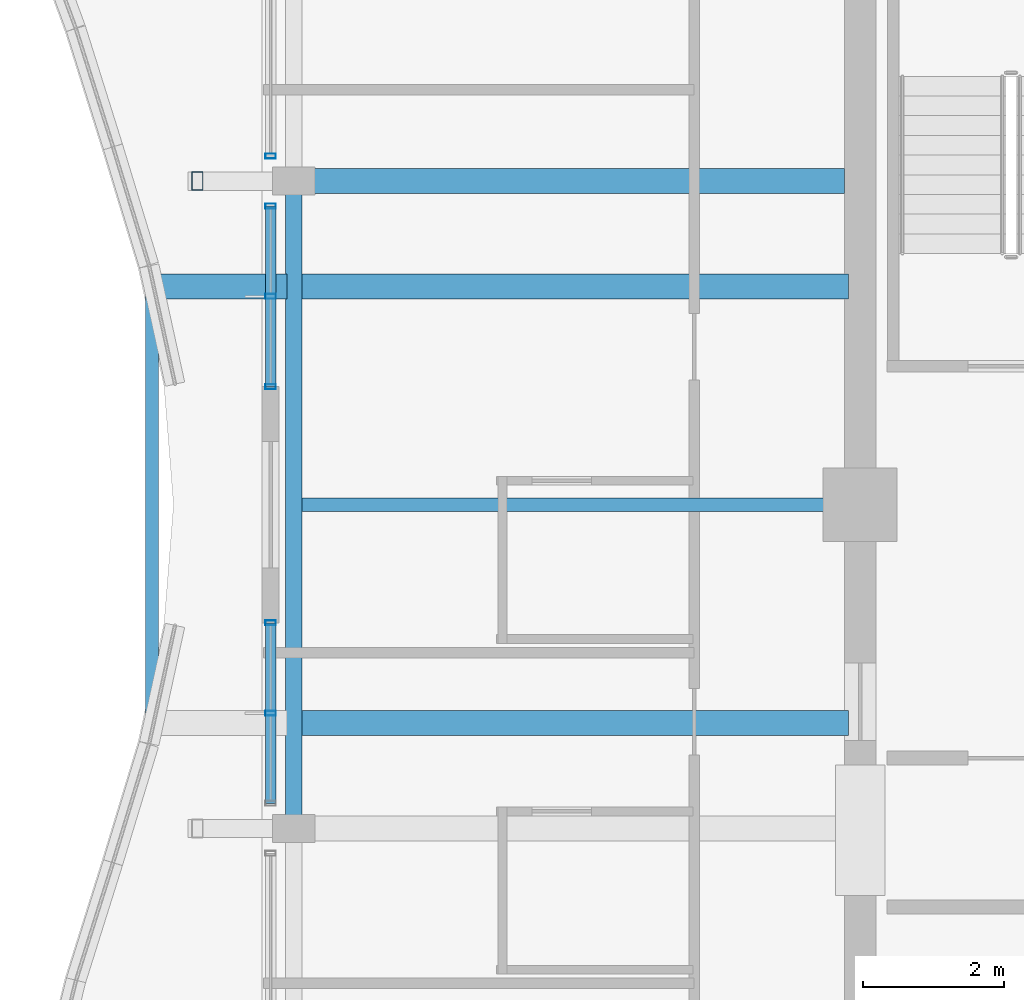
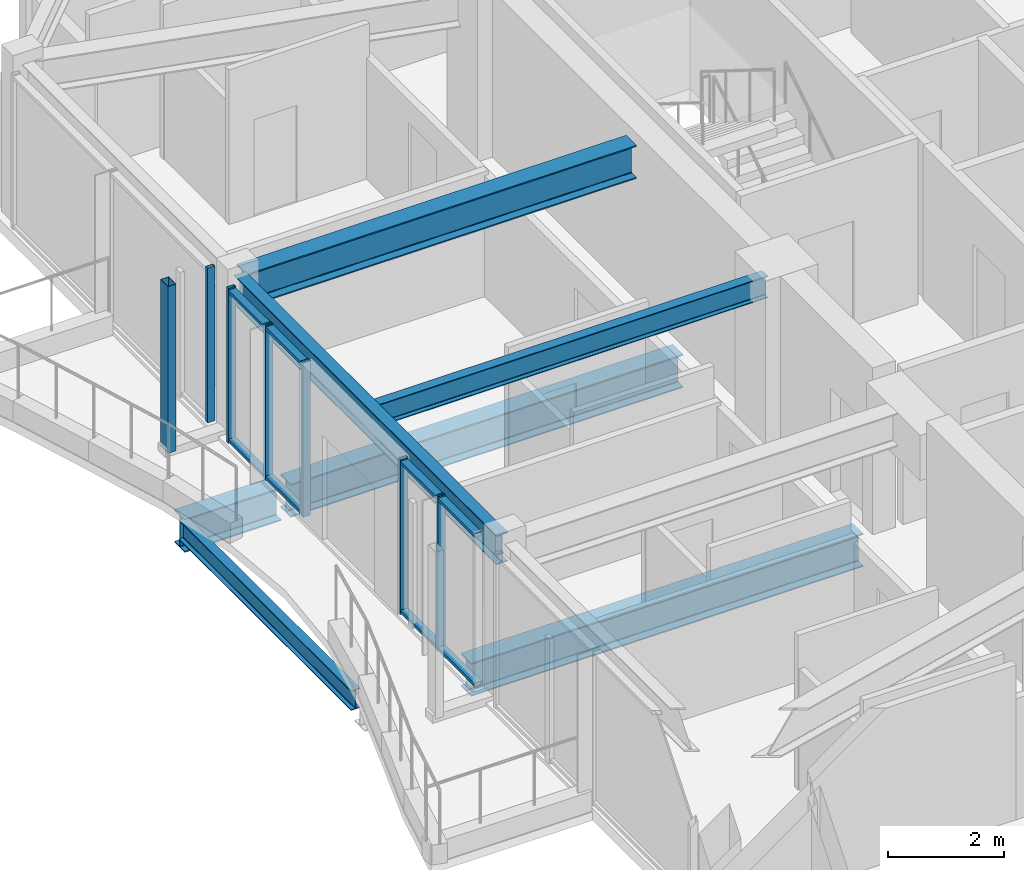
# One storey, part 8 of 31: 11 members, 7 beams, 3 elements without a shape of their own.
"""IFC4 building model written with IfcOpenShell, lengths in metres."""

from ifc_helpers import new_model, si_unit, direction, frame, origin, origin_2d, place, context, subcontext, project, spatial, hollow_rectangle, i_section, extrude, material, material_profile, profile_set, type_object, element, aggregate, save


model = new_model("IFC4")

# Units and contexts
model_context = context("Model", 3, precision=1e-05, world=origin(), true_north=direction((0.0, 1.0)))
body_context = subcontext(model_context, "Body", "Model", "MODEL_VIEW")
ifc_project = project(units=[si_unit("LENGTHUNIT", "METRE"), si_unit("AREAUNIT", "SQUARE_METRE"), si_unit("VOLUMEUNIT", "CUBIC_METRE"), si_unit("PLANEANGLEUNIT", "RADIAN"), si_unit("MASSUNIT", "GRAM", prefix="KILO")], contexts=[model_context])

# Site, building, storey
site_placement = place(None, origin())
site = spatial("IfcSite", under=ifc_project, at=site_placement, CompositionType="ELEMENT")
building_placement = place(site_placement, origin())
building = spatial("IfcBuilding", under=site, at=building_placement, Name="Kolvaren Belvedere", CompositionType="ELEMENT")
storey_placement = place(building_placement, frame((0.0, 0.0, 251.39990234375)))
storey = spatial("IfcBuildingStorey", under=building, at=storey_placement, Name="L73", CompositionType="ELEMENT", Elevation=251.39990234375)

# Beams
ifc_material_1 = material(Name="Structural steel ASTM A992 Grade 50", Category="steel")
ifc_material_profile_1 = material_profile(ifc_material_1, i_section(OverallWidth=0.35498046875, OverallDepth=0.696044921875, WebThickness=0.015380859375, FlangeThickness=0.02490234375, FilletRadius=0.02197265625, at=origin_2d()), Name="W27X146")
ifc_profile_set_1 = profile_set([ifc_material_profile_1], Name="Structural steel ASTM A992 Grade 50")
beam_type_1 = type_object("IfcBeamType", Name="BM-CANT-BAL", PredefinedType="BEAM", material=ifc_profile_set_1)
beam_1_placement = place(storey_placement, frame((-18.044921875, 3.10009765625, -0.597900390625), z_axis=(-1.0, 0.0, 0.0), x_axis=(0.0, -1.0, 0.0)))
element("IfcBeam", 1, at=beam_1_placement, inside=storey, type_object=beam_type_1, Name="L73 Planted Balcony Cantilever BAL-W-2", PredefinedType="BEAM", context=body_context, shape_type="SweptSolid", body=[
    extrude(i_section(OverallWidth=0.35498046875, OverallDepth=0.696044921875, WebThickness=0.015380859375, FlangeThickness=0.02490234375, FilletRadius=0.02197265625, at=origin_2d()), origin(), (0.0, 0.0, 1.0), 1.91943359375),
])
ifc_material_2 = material(Name="Structural steel ASTM A992 Grade 50", Category="steel")
ifc_material_profile_2 = material_profile(ifc_material_2, i_section(OverallWidth=0.180908203125, OverallDepth=0.4169921875, WebThickness=0.010986328125, FlangeThickness=0.018310546875, FilletRadius=0.013916015625, at=origin_2d()), Name="W16X57")
ifc_profile_set_2 = profile_set([ifc_material_profile_2], Name="Structural steel ASTM A992 Grade 50")
beam_type_2 = type_object("IfcBeamType", Name="BM-EDGE-W16X57", PredefinedType="BEAM", material=ifc_profile_set_2)
beam_2_placement = place(storey_placement, frame((-19.96435546875, -2.9599609375, -0.45849609375), z_axis=(0.0, 1.0, 0.0), x_axis=(-1.0, 0.0, 0.0)))
element("IfcBeam", 2, at=beam_2_placement, inside=storey, type_object=beam_type_2, Name="L73 Balcony Tip Header Beam BAL-W", PredefinedType="BEAM", context=body_context, shape_type="SweptSolid", body=[
    extrude(i_section(OverallWidth=0.180908203125, OverallDepth=0.4169921875, WebThickness=0.010986328125, FlangeThickness=0.018310546875, FilletRadius=0.013916015625, at=origin_2d()), origin(), (0.0, 0.0, 1.0), 5.919921875),
])
ifc_material_3 = material(Name="Structural steel ASTM A992 Grade 50", Category="steel")
ifc_material_profile_3 = material_profile(ifc_material_3, i_section(OverallWidth=0.35498046875, OverallDepth=0.696044921875, WebThickness=0.015380859375, FlangeThickness=0.02490234375, FilletRadius=0.02197265625, at=origin_2d()), Name="W27X146")
ifc_profile_set_3 = profile_set([ifc_material_profile_3], Name="Structural steel ASTM A992 Grade 50")
beam_type_3 = type_object("IfcBeamType", Name="BM-GIRD-W27X146", PredefinedType="BEAM", material=ifc_profile_set_3)
for number, where, z_axis, x_axis, name in (
    (3, (-10.06494140625, -3.10009765625, -0.597900390625), (-1.0, 0.0, 0.0), (0.0, -1.0, 0.0), "L73 Balcony Interior Back-Span Girder BAL-W-1"),
    (4, (-10.06494140625, 3.10009765625, -0.597900390625), (-1.0, 0.0, 0.0), (0.0, -1.0, 0.0), "L73 Balcony Interior Back-Span Girder BAL-W-2"),
):
    element("IfcBeam", number, at=place(storey_placement, frame(where, z_axis=z_axis, x_axis=x_axis)), inside=storey, type_object=beam_type_3, Name=name, PredefinedType="BEAM", context=body_context, shape_type="SweptSolid", body=[
        extrude(i_section(OverallWidth=0.35498046875, OverallDepth=0.696044921875, WebThickness=0.015380859375, FlangeThickness=0.02490234375, FilletRadius=0.02197265625, at=origin_2d()), origin(), (0.0, 0.0, 1.0), 7.7900390625),
    ])
beam_3_placement = place(storey_placement, frame((-10.125, 4.60009765625, 2.902099609375), z_axis=(-1.0, 0.0, 0.0), x_axis=(0.0, -1.0, 0.0)))
element("IfcBeam", 5, at=beam_3_placement, inside=storey, type_object=beam_type_3, Name="L73 West Radial Girder P", PredefinedType="BEAM", context=body_context, shape_type="SweptSolid", body=[
    extrude(i_section(OverallWidth=0.35498046875, OverallDepth=0.696044921875, WebThickness=0.015380859375, FlangeThickness=0.02490234375, FilletRadius=0.02197265625, at=origin_2d()), origin(), (0.0, 0.0, 1.0), 7.735107421875),
])
ifc_material_4 = material(Name="Structural steel ASTM A992 Grade 50", Category="steel")
ifc_material_profile_4 = material_profile(ifc_material_4, i_section(OverallWidth=0.19091796875, OverallDepth=0.4599609375, WebThickness=0.010009765625, FlangeThickness=0.01611328125, FilletRadius=0.014892578125, at=origin_2d()), Name="W18X55")
ifc_profile_set_4 = profile_set([ifc_material_profile_4], Name="Structural steel ASTM A992 Grade 50")
beam_type_4 = type_object("IfcBeamType", Name="BM-JOIST-W18X55", PredefinedType="BEAM", material=ifc_profile_set_4)
beam_4_placement = place(storey_placement, frame((-10.125, 0.0, 3.02001953125), z_axis=(-1.0, 0.0, 0.0), x_axis=(0.0, -1.0, 0.0)))
element("IfcBeam", 6, at=beam_4_placement, inside=storey, type_object=beam_type_4, Name="L73 West Centre Floor Beam", PredefinedType="BEAM", context=body_context, shape_type="SweptSolid", body=[
    extrude(i_section(OverallWidth=0.19091796875, OverallDepth=0.4599609375, WebThickness=0.010009765625, FlangeThickness=0.01611328125, FilletRadius=0.014892578125, at=origin_2d()), origin(), (0.0, 0.0, 1.0), 7.71044921875),
])
ifc_material_5 = material(Name="Structural steel ASTM A992 Grade 50", Category="steel")
ifc_material_profile_5 = material_profile(ifc_material_5, i_section(OverallWidth=0.22900390625, OverallDepth=0.612060546875, WebThickness=0.011962890625, FlangeThickness=0.01953125, FilletRadius=0.01806640625, at=origin_2d()), Name="W24X84")
ifc_profile_set_5 = profile_set([ifc_material_profile_5], Name="Structural steel ASTM A992 Grade 50")
beam_type_5 = type_object("IfcBeamType", Name="BM-SPAN-W24X84", PredefinedType="SPANDREL", material=ifc_profile_set_5)
beam_5_placement = place(storey_placement, frame((-17.949951171875, 4.510009765625, 2.944091796875), z_axis=(0.0, -1.0, 0.0), x_axis=(1.0, 0.0, 0.0)))
element("IfcBeam", 7, at=beam_5_placement, inside=storey, type_object=beam_type_5, Name="L73 Perimeter Spandrel W3-W2", PredefinedType="SPANDREL", context=body_context, shape_type="SweptSolid", body=[
    extrude(i_section(OverallWidth=0.22900390625, OverallDepth=0.612060546875, WebThickness=0.011962890625, FlangeThickness=0.01953125, FilletRadius=0.01806640625, at=origin_2d()), origin(), (0.0, 0.0, 1.0), 9.02001953125),
])

# Curtain wall, members
ifc_material_6 = material(Name="Anodised pale-metal aluminium AA 6063-T6", Category="aluminium")
curtain_wall_type = type_object("IfcCurtainWallType", Name="CW-Z5-HIGH", PredefinedType="NOTDEFINED", material=ifc_material_6)
curtain_wall_1_placement = place(storey_placement, origin())
curtain_wall_1 = element("IfcCurtainWall", 8, at=curtain_wall_1_placement, inside=storey, type_object=curtain_wall_type, Name="L73 Unitised Curtain Wall FCW-L73-W1-B2", PredefinedType="NOTDEFINED")
ifc_material_7 = material(Name="Anodised pale-metal aluminium AA 6063-T6", Category="aluminium")
ifc_material_profile_6 = material_profile(ifc_material_7, hollow_rectangle(XDim=0.070068359375, YDim=0.14990234375, WallThickness=0.004150390625, at=origin_2d()), Name="ALU-MUL-150X70")
ifc_profile_set_6 = profile_set([ifc_material_profile_6], Name="Anodised pale-metal aluminium AA 6063-T6")
member_type_1 = type_object("IfcMemberType", Name="CW-MUL-150", PredefinedType="MULLION", material=ifc_profile_set_6)
member_1_placement = place(storey_placement, frame((-18.280029296875, -2.96240234375, 0.0), z_axis=(0.0, 0.0, 1.0), x_axis=(0.0, 1.0, 0.0)))
member_1 = element("IfcMember", 9, at=member_1_placement, type_object=member_type_1, Name="FCW-L73-W1-B2 Unitised Mullion 2", PredefinedType="MULLION", context=body_context, shape_type="SweptSolid", body=[
    extrude(hollow_rectangle(XDim=0.070068359375, YDim=0.14990234375, WallThickness=0.004150390625, at=origin_2d()), origin(), (0.0, 0.0, 1.0), 3.25),
])
member_2_placement = place(storey_placement, frame((-18.280029296875, -1.679931640625, 0.0), z_axis=(0.0, 0.0, 1.0), x_axis=(0.0, 1.0, 0.0)))
member_2 = element("IfcMember", 10, at=member_2_placement, type_object=member_type_1, Name="FCW-L73-W1-B2 Unitised Mullion 3", PredefinedType="MULLION", context=body_context, shape_type="SweptSolid", body=[
    extrude(hollow_rectangle(XDim=0.070068359375, YDim=0.14990234375, WallThickness=0.004150390625, at=origin_2d()), origin(), (0.0, 0.0, 1.0), 3.25),
])

curtain_wall_2_placement = place(storey_placement, origin())
curtain_wall_2 = element("IfcCurtainWall", 11, at=curtain_wall_2_placement, inside=storey, type_object=curtain_wall_type, Name="L73 Unitised Curtain Wall FCW-L73-W2-B1", PredefinedType="NOTDEFINED")
member_3_placement = place(storey_placement, frame((-18.280029296875, 1.679931640625, 0.0), z_axis=(0.0, 0.0, 1.0), x_axis=(0.0, 1.0, 0.0)))
member_3 = element("IfcMember", 12, at=member_3_placement, type_object=member_type_1, Name="FCW-L73-W2-B1 Unitised Mullion 1", PredefinedType="MULLION", context=body_context, shape_type="SweptSolid", body=[
    extrude(hollow_rectangle(XDim=0.070068359375, YDim=0.14990234375, WallThickness=0.004150390625, at=origin_2d()), origin(), (0.0, 0.0, 1.0), 3.25),
])
member_4_placement = place(storey_placement, frame((-18.280029296875, 2.96240234375, 0.0), z_axis=(0.0, 0.0, 1.0), x_axis=(0.0, 1.0, 0.0)))
member_4 = element("IfcMember", 13, at=member_4_placement, type_object=member_type_1, Name="FCW-L73-W2-B1 Unitised Mullion 2", PredefinedType="MULLION", context=body_context, shape_type="SweptSolid", body=[
    extrude(hollow_rectangle(XDim=0.070068359375, YDim=0.14990234375, WallThickness=0.004150390625, at=origin_2d()), origin(), (0.0, 0.0, 1.0), 3.25),
])
member_5_placement = place(storey_placement, frame((-18.280029296875, 4.2451171875, 0.0), z_axis=(0.0, 0.0, 1.0), x_axis=(0.0, 1.0, 0.0)))
member_5 = element("IfcMember", 14, at=member_5_placement, type_object=member_type_1, Name="FCW-L73-W2-B1 Unitised Mullion 3", PredefinedType="MULLION", context=body_context, shape_type="SweptSolid", body=[
    extrude(hollow_rectangle(XDim=0.070068359375, YDim=0.14990234375, WallThickness=0.004150390625, at=origin_2d()), origin(), (0.0, 0.0, 1.0), 3.25),
])

# Curtain wall, member
curtain_wall_3_placement = place(storey_placement, origin())
curtain_wall_3 = element("IfcCurtainWall", 15, at=curtain_wall_3_placement, inside=storey, type_object=curtain_wall_type, Name="L73 Unitised Curtain Wall FCW-L73-W2-B2", PredefinedType="NOTDEFINED")
member_6_placement = place(storey_placement, frame((-18.280029296875, 4.955078125, 0.0), z_axis=(0.0, 0.0, 1.0), x_axis=(0.0, 1.0, 0.0)))
member_6 = element("IfcMember", 16, at=member_6_placement, type_object=member_type_1, Name="FCW-L73-W2-B2 Unitised Mullion 1", PredefinedType="MULLION", context=body_context, shape_type="SweptSolid", body=[
    extrude(hollow_rectangle(XDim=0.070068359375, YDim=0.14990234375, WallThickness=0.004150390625, at=origin_2d()), origin(), (0.0, 0.0, 1.0), 3.25),
])
aggregate(curtain_wall_3, [member_6])

# Member
ifc_material_8 = material(Name="Anodised pale-metal aluminium AA 6063-T6", Category="aluminium")
ifc_material_profile_7 = material_profile(ifc_material_8, hollow_rectangle(XDim=0.06494140625, YDim=0.14990234375, WallThickness=0.00390625, at=origin_2d()), Name="ALU-TRN-150X65")
ifc_profile_set_7 = profile_set([ifc_material_profile_7], Name="Anodised pale-metal aluminium AA 6063-T6")
member_type_2 = type_object("IfcMemberType", Name="CW-TRN-150", PredefinedType="USERDEFINED", material=ifc_profile_set_7)
member_7_placement = place(storey_placement, frame((-18.280029296875, -4.2451171875, 0.06005859375), z_axis=(0.0, 1.0, 0.0), x_axis=(0.0, 0.0, 1.0)))
member_7 = element("IfcMember", 17, at=member_7_placement, type_object=member_type_2, Name="FCW-L73-W1-B2 Sill Transom", ObjectType="TRANSOM", PredefinedType="USERDEFINED", context=body_context, shape_type="SweptSolid", body=[
    extrude(hollow_rectangle(XDim=0.06494140625, YDim=0.14990234375, WallThickness=0.00390625, at=origin_2d()), origin(), (0.0, 0.0, 1.0), 2.565185546875),
])

member_8_placement = place(storey_placement, frame((-18.280029296875, -4.2451171875, 3.190185546875), z_axis=(0.0, 1.0, 0.0), x_axis=(0.0, 0.0, 1.0)))
member_8 = element("IfcMember", 18, at=member_8_placement, type_object=member_type_2, Name="FCW-L73-W1-B2 Head Transom", ObjectType="TRANSOM", PredefinedType="USERDEFINED", context=body_context, shape_type="SweptSolid", body=[
    extrude(hollow_rectangle(XDim=0.06494140625, YDim=0.14990234375, WallThickness=0.00390625, at=origin_2d()), origin(), (0.0, 0.0, 1.0), 2.565185546875),
])

aggregate(curtain_wall_1, [member_1, member_2, member_7, member_8])

member_9_placement = place(storey_placement, frame((-18.280029296875, 1.679931640625, 0.06005859375), z_axis=(0.0, 1.0, 0.0), x_axis=(0.0, 0.0, 1.0)))
member_9 = element("IfcMember", 19, at=member_9_placement, type_object=member_type_2, Name="FCW-L73-W2-B1 Sill Transom", ObjectType="TRANSOM", PredefinedType="USERDEFINED", context=body_context, shape_type="SweptSolid", body=[
    extrude(hollow_rectangle(XDim=0.06494140625, YDim=0.14990234375, WallThickness=0.00390625, at=origin_2d()), origin(), (0.0, 0.0, 1.0), 2.565185546875),
])

member_10_placement = place(storey_placement, frame((-18.280029296875, 1.679931640625, 3.190185546875), z_axis=(0.0, 1.0, 0.0), x_axis=(0.0, 0.0, 1.0)))
member_10 = element("IfcMember", 20, at=member_10_placement, type_object=member_type_2, Name="FCW-L73-W2-B1 Head Transom", ObjectType="TRANSOM", PredefinedType="USERDEFINED", context=body_context, shape_type="SweptSolid", body=[
    extrude(hollow_rectangle(XDim=0.06494140625, YDim=0.14990234375, WallThickness=0.00390625, at=origin_2d()), origin(), (0.0, 0.0, 1.0), 2.565185546875),
])

aggregate(curtain_wall_2, [member_3, member_4, member_5, member_9, member_10])

ifc_material_9 = material(Name="Anodised pale-metal aluminium AA 6063-T6", Category="aluminium")
ifc_material_profile_8 = material_profile(ifc_material_9, hollow_rectangle(XDim=0.159912109375, YDim=0.260009765625, WallThickness=0.006591796875, at=origin_2d()), Name="ALU-PF-260X160")
ifc_profile_set_8 = profile_set([ifc_material_profile_8], Name="Anodised pale-metal aluminium AA 6063-T6")
member_type_3 = type_object("IfcMemberType", Name="PF-FRAME-260", PredefinedType="USERDEFINED", material=ifc_profile_set_8)
member_11_placement = place(storey_placement, frame((-19.320068359375, 4.60009765625, 0.0), z_axis=(0.0, 0.0, 1.0), x_axis=(1.0, 0.0, 0.0)))
element("IfcMember", 21, at=member_11_placement, inside=storey, type_object=member_type_3, Name="L73 Outboard Picture-Frame Vertical W2", ObjectType="PICTURE FRAME FIN", PredefinedType="USERDEFINED", context=body_context, shape_type="SweptSolid", body=[
    extrude(hollow_rectangle(XDim=0.159912109375, YDim=0.260009765625, WallThickness=0.006591796875, at=origin_2d()), origin(), (0.0, 0.0, 1.0), 3.5),
])

save(model, "model.ifc")
